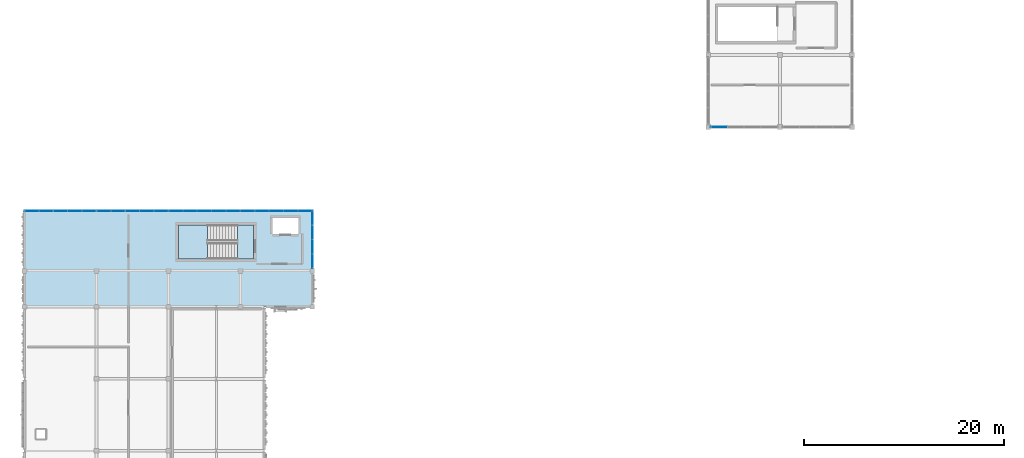
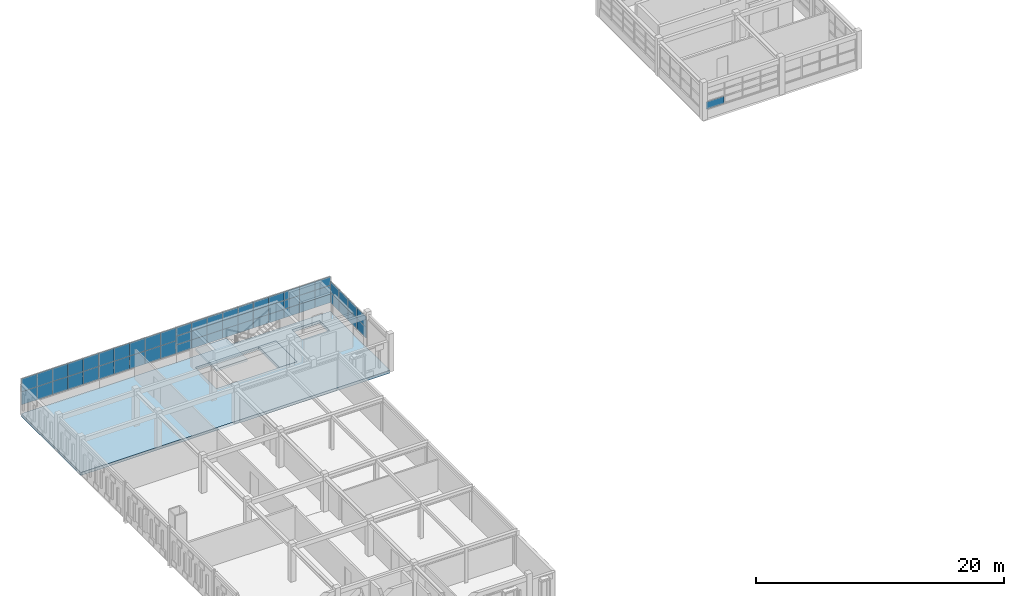
# One storey, part 20 of 53: 59 plates, 3 slabs, 7 elements without a shape of their own.
"""IFC4 building model written with IfcOpenShell, lengths in metres."""

from ifc_helpers import new_model, si_unit, direction, frame, origin, origin_2d, place, context, subcontext, project, spatial, polyline, rectangle, outline, extrude, material, layer, layer_set, type_object, element, aggregate, save


model = new_model("IFC4")

# Units and contexts
model_context = context("Model", 3, precision=1e-05, world=origin(), true_north=direction((0.0, 1.0)))
body_context = subcontext(model_context, "Body", "Model", "MODEL_VIEW")
ifc_project = project(units=[si_unit("LENGTHUNIT", "METRE"), si_unit("AREAUNIT", "SQUARE_METRE"), si_unit("VOLUMEUNIT", "CUBIC_METRE"), si_unit("PLANEANGLEUNIT", "RADIAN"), si_unit("MASSUNIT", "GRAM", prefix="KILO")], contexts=[model_context])

# Site, building, storey
site_placement = place(None, origin())
site = spatial("IfcSite", under=ifc_project, at=site_placement, CompositionType="ELEMENT")
building_placement = place(site_placement, origin())
building = spatial("IfcBuilding", under=site, at=building_placement, Name="Nzembalo Square Collegiate School", CompositionType="ELEMENT")
storey_placement = place(building_placement, frame((0.0, 0.0, 13.60009765625)))
storey = spatial("IfcBuildingStorey", under=building, at=storey_placement, Name="L03", CompositionType="ELEMENT", Elevation=13.60009765625)

# Curtain wall, plates
ifc_material_1 = material(Name="Aluminium 6060-T66", Category="aluminium")
curtain_wall_type_1 = type_object("IfcCurtainWallType", Name="CW-09", PredefinedType="USERDEFINED", material=ifc_material_1)
curtain_wall_1_placement = place(storey_placement, origin())
curtain_wall_1 = element("IfcCurtainWall", 1, at=curtain_wall_1_placement, inside=storey, type_object=curtain_wall_type_1, Name="Curtain wall CW-09 cw:L03:128", ObjectType="UNITISED", PredefinedType="USERDEFINED")
ifc_material_2 = material(Name="Laminated solar-control double glazing", Category="glass")
ifc_layer_1 = layer(ifc_material_2, 0.028076171875, Name="Laminated solar-control double glazing")
ifc_layer_set_1 = layer_set([ifc_layer_1], Name="Laminated solar-control double glazing")
plate_type_1 = type_object("IfcPlateType", Name="PN01", PredefinedType="CURTAIN_PANEL", material=ifc_layer_set_1)
plate_1_placement = place(storey_placement, frame((23.52001953125, 88.800048828125, 0.85400390625), z_axis=(0.0, 0.0, 1.0), x_axis=(1.0, 0.0, 0.0)))
plate_1 = element("IfcPlate", 2, at=plate_1_placement, type_object=plate_type_1, Name="PN01 glazed panel 1-1", PredefinedType="CURTAIN_PANEL", context=body_context, shape_type="SweptSolid", body=[
    extrude(rectangle(XDim=1.431884765625, YDim=0.028076171875, at=origin_2d()), origin(), (0.0, 0.0, 1.0), 0.853271484375),
])
plate_2_placement = place(storey_placement, frame((24.9599609375, 88.800048828125, 0.85400390625), z_axis=(0.0, 0.0, 1.0), x_axis=(1.0, 0.0, 0.0)))
plate_2 = element("IfcPlate", 3, at=plate_2_placement, type_object=plate_type_1, Name="PN01 glazed panel 1-2", PredefinedType="CURTAIN_PANEL", context=body_context, shape_type="SweptSolid", body=[
    extrude(rectangle(XDim=1.431884765625, YDim=0.028076171875, at=origin_2d()), origin(), (0.0, 0.0, 1.0), 0.853271484375),
])
plate_3_placement = place(storey_placement, frame((26.39990234375, 88.800048828125, 0.85400390625), z_axis=(0.0, 0.0, 1.0), x_axis=(1.0, 0.0, 0.0)))
plate_3 = element("IfcPlate", 4, at=plate_3_placement, type_object=plate_type_1, Name="PN01 glazed panel 1-3", PredefinedType="CURTAIN_PANEL", context=body_context, shape_type="SweptSolid", body=[
    extrude(rectangle(XDim=1.431884765625, YDim=0.028076171875, at=origin_2d()), origin(), (0.0, 0.0, 1.0), 0.853271484375),
])
plate_4_placement = place(storey_placement, frame((27.840087890625, 88.800048828125, 0.85400390625), z_axis=(0.0, 0.0, 1.0), x_axis=(1.0, 0.0, 0.0)))
plate_4 = element("IfcPlate", 5, at=plate_4_placement, type_object=plate_type_1, Name="PN01 glazed panel 1-4", PredefinedType="CURTAIN_PANEL", context=body_context, shape_type="SweptSolid", body=[
    extrude(rectangle(XDim=1.431884765625, YDim=0.028076171875, at=origin_2d()), origin(), (0.0, 0.0, 1.0), 0.853271484375),
])
plate_5_placement = place(storey_placement, frame((29.280029296875, 88.800048828125, 0.85400390625), z_axis=(0.0, 0.0, 1.0), x_axis=(1.0, 0.0, 0.0)))
plate_5 = element("IfcPlate", 6, at=plate_5_placement, type_object=plate_type_1, Name="PN01 glazed panel 1-5", PredefinedType="CURTAIN_PANEL", context=body_context, shape_type="SweptSolid", body=[
    extrude(rectangle(XDim=1.431884765625, YDim=0.028076171875, at=origin_2d()), origin(), (0.0, 0.0, 1.0), 0.853271484375),
])
plate_6_placement = place(storey_placement, frame((23.52001953125, 88.800048828125, 1.71533203125), z_axis=(0.0, 0.0, 1.0), x_axis=(1.0, 0.0, 0.0)))
plate_6 = element("IfcPlate", 7, at=plate_6_placement, type_object=plate_type_1, Name="PN01 glazed panel 2-1", PredefinedType="CURTAIN_PANEL", context=body_context, shape_type="SweptSolid", body=[
    extrude(rectangle(XDim=1.431884765625, YDim=0.028076171875, at=origin_2d()), origin(), (0.0, 0.0, 1.0), 0.853271484375),
])
plate_7_placement = place(storey_placement, frame((24.9599609375, 88.800048828125, 1.71533203125), z_axis=(0.0, 0.0, 1.0), x_axis=(1.0, 0.0, 0.0)))
plate_7 = element("IfcPlate", 8, at=plate_7_placement, type_object=plate_type_1, Name="PN01 glazed panel 2-2", PredefinedType="CURTAIN_PANEL", context=body_context, shape_type="SweptSolid", body=[
    extrude(rectangle(XDim=1.431884765625, YDim=0.028076171875, at=origin_2d()), origin(), (0.0, 0.0, 1.0), 0.853271484375),
])
plate_8_placement = place(storey_placement, frame((26.39990234375, 88.800048828125, 1.71533203125), z_axis=(0.0, 0.0, 1.0), x_axis=(1.0, 0.0, 0.0)))
plate_8 = element("IfcPlate", 9, at=plate_8_placement, type_object=plate_type_1, Name="PN01 glazed panel 2-3", PredefinedType="CURTAIN_PANEL", context=body_context, shape_type="SweptSolid", body=[
    extrude(rectangle(XDim=1.431884765625, YDim=0.028076171875, at=origin_2d()), origin(), (0.0, 0.0, 1.0), 0.853271484375),
])
plate_9_placement = place(storey_placement, frame((27.840087890625, 88.800048828125, 1.71533203125), z_axis=(0.0, 0.0, 1.0), x_axis=(1.0, 0.0, 0.0)))
plate_9 = element("IfcPlate", 10, at=plate_9_placement, type_object=plate_type_1, Name="PN01 glazed panel 2-4", PredefinedType="CURTAIN_PANEL", context=body_context, shape_type="SweptSolid", body=[
    extrude(rectangle(XDim=1.431884765625, YDim=0.028076171875, at=origin_2d()), origin(), (0.0, 0.0, 1.0), 0.853271484375),
])
plate_10_placement = place(storey_placement, frame((29.280029296875, 88.800048828125, 1.71533203125), z_axis=(0.0, 0.0, 1.0), x_axis=(1.0, 0.0, 0.0)))
plate_10 = element("IfcPlate", 11, at=plate_10_placement, type_object=plate_type_1, Name="PN01 glazed panel 2-5", PredefinedType="CURTAIN_PANEL", context=body_context, shape_type="SweptSolid", body=[
    extrude(rectangle(XDim=1.431884765625, YDim=0.028076171875, at=origin_2d()), origin(), (0.0, 0.0, 1.0), 0.853271484375),
])
plate_11_placement = place(storey_placement, frame((23.52001953125, 88.800048828125, 2.57666015625), z_axis=(0.0, 0.0, 1.0), x_axis=(1.0, 0.0, 0.0)))
plate_11 = element("IfcPlate", 12, at=plate_11_placement, type_object=plate_type_1, Name="PN01 glazed panel 3-1", PredefinedType="CURTAIN_PANEL", context=body_context, shape_type="SweptSolid", body=[
    extrude(rectangle(XDim=1.431884765625, YDim=0.028076171875, at=origin_2d()), origin(), (0.0, 0.0, 1.0), 0.853271484375),
])
plate_12_placement = place(storey_placement, frame((24.9599609375, 88.800048828125, 2.57666015625), z_axis=(0.0, 0.0, 1.0), x_axis=(1.0, 0.0, 0.0)))
plate_12 = element("IfcPlate", 13, at=plate_12_placement, type_object=plate_type_1, Name="PN01 glazed panel 3-2", PredefinedType="CURTAIN_PANEL", context=body_context, shape_type="SweptSolid", body=[
    extrude(rectangle(XDim=1.431884765625, YDim=0.028076171875, at=origin_2d()), origin(), (0.0, 0.0, 1.0), 0.853271484375),
])
plate_13_placement = place(storey_placement, frame((26.39990234375, 88.800048828125, 2.57666015625), z_axis=(0.0, 0.0, 1.0), x_axis=(1.0, 0.0, 0.0)))
plate_13 = element("IfcPlate", 14, at=plate_13_placement, type_object=plate_type_1, Name="PN01 glazed panel 3-3", PredefinedType="CURTAIN_PANEL", context=body_context, shape_type="SweptSolid", body=[
    extrude(rectangle(XDim=1.431884765625, YDim=0.028076171875, at=origin_2d()), origin(), (0.0, 0.0, 1.0), 0.853271484375),
])
plate_14_placement = place(storey_placement, frame((27.840087890625, 88.800048828125, 2.57666015625), z_axis=(0.0, 0.0, 1.0), x_axis=(1.0, 0.0, 0.0)))
plate_14 = element("IfcPlate", 15, at=plate_14_placement, type_object=plate_type_1, Name="PN01 glazed panel 3-4", PredefinedType="CURTAIN_PANEL", context=body_context, shape_type="SweptSolid", body=[
    extrude(rectangle(XDim=1.431884765625, YDim=0.028076171875, at=origin_2d()), origin(), (0.0, 0.0, 1.0), 0.853271484375),
])
plate_15_placement = place(storey_placement, frame((29.280029296875, 88.800048828125, 2.57666015625), z_axis=(0.0, 0.0, 1.0), x_axis=(1.0, 0.0, 0.0)))
plate_15 = element("IfcPlate", 16, at=plate_15_placement, type_object=plate_type_1, Name="PN01 glazed panel 3-5", PredefinedType="CURTAIN_PANEL", context=body_context, shape_type="SweptSolid", body=[
    extrude(rectangle(XDim=1.431884765625, YDim=0.028076171875, at=origin_2d()), origin(), (0.0, 0.0, 1.0), 0.853271484375),
])
aggregate(curtain_wall_1, [plate_1, plate_2, plate_3, plate_4, plate_5, plate_6, plate_7, plate_8, plate_9, plate_10, plate_11, plate_12, plate_13, plate_14, plate_15])

ifc_material_3 = material(Name="Aluminium 6060-T66", Category="aluminium")
curtain_wall_type_2 = type_object("IfcCurtainWallType", Name="CW-10", PredefinedType="USERDEFINED", material=ifc_material_3)
curtain_wall_2_placement = place(storey_placement, origin())
curtain_wall_2 = element("IfcCurtainWall", 17, at=curtain_wall_2_placement, inside=storey, type_object=curtain_wall_type_2, Name="Curtain wall CW-10 cw:L03:129", ObjectType="UNITISED", PredefinedType="USERDEFINED")
plate_16_placement = place(storey_placement, frame((30.719970703125, 88.800048828125, 0.85400390625), z_axis=(0.0, 0.0, 1.0), x_axis=(1.0, 0.0, 0.0)))
plate_16 = element("IfcPlate", 18, at=plate_16_placement, type_object=plate_type_1, Name="PN01 glazed panel 1-1", PredefinedType="CURTAIN_PANEL", context=body_context, shape_type="SweptSolid", body=[
    extrude(rectangle(XDim=1.431884765625, YDim=0.028076171875, at=origin_2d()), origin(), (0.0, 0.0, 1.0), 0.853271484375),
])
plate_17_placement = place(storey_placement, frame((32.159912109375, 88.800048828125, 0.85400390625), z_axis=(0.0, 0.0, 1.0), x_axis=(1.0, 0.0, 0.0)))
plate_17 = element("IfcPlate", 19, at=plate_17_placement, type_object=plate_type_1, Name="PN01 glazed panel 1-2", PredefinedType="CURTAIN_PANEL", context=body_context, shape_type="SweptSolid", body=[
    extrude(rectangle(XDim=1.431884765625, YDim=0.028076171875, at=origin_2d()), origin(), (0.0, 0.0, 1.0), 0.853271484375),
])
plate_18_placement = place(storey_placement, frame((33.60009765625, 88.800048828125, 0.85400390625), z_axis=(0.0, 0.0, 1.0), x_axis=(1.0, 0.0, 0.0)))
plate_18 = element("IfcPlate", 20, at=plate_18_placement, type_object=plate_type_1, Name="PN01 glazed panel 1-3", PredefinedType="CURTAIN_PANEL", context=body_context, shape_type="SweptSolid", body=[
    extrude(rectangle(XDim=1.431884765625, YDim=0.028076171875, at=origin_2d()), origin(), (0.0, 0.0, 1.0), 0.853271484375),
])
plate_19_placement = place(storey_placement, frame((35.0400390625, 88.800048828125, 0.85400390625), z_axis=(0.0, 0.0, 1.0), x_axis=(1.0, 0.0, 0.0)))
plate_19 = element("IfcPlate", 21, at=plate_19_placement, type_object=plate_type_1, Name="PN01 glazed panel 1-4", PredefinedType="CURTAIN_PANEL", context=body_context, shape_type="SweptSolid", body=[
    extrude(rectangle(XDim=1.431884765625, YDim=0.028076171875, at=origin_2d()), origin(), (0.0, 0.0, 1.0), 0.853271484375),
])
plate_20_placement = place(storey_placement, frame((36.47998046875, 88.800048828125, 0.85400390625), z_axis=(0.0, 0.0, 1.0), x_axis=(1.0, 0.0, 0.0)))
plate_20 = element("IfcPlate", 22, at=plate_20_placement, type_object=plate_type_1, Name="PN01 glazed panel 1-5", PredefinedType="CURTAIN_PANEL", context=body_context, shape_type="SweptSolid", body=[
    extrude(rectangle(XDim=1.431884765625, YDim=0.028076171875, at=origin_2d()), origin(), (0.0, 0.0, 1.0), 0.853271484375),
])
plate_21_placement = place(storey_placement, frame((30.719970703125, 88.800048828125, 1.71533203125), z_axis=(0.0, 0.0, 1.0), x_axis=(1.0, 0.0, 0.0)))
plate_21 = element("IfcPlate", 23, at=plate_21_placement, type_object=plate_type_1, Name="PN01 glazed panel 2-1", PredefinedType="CURTAIN_PANEL", context=body_context, shape_type="SweptSolid", body=[
    extrude(rectangle(XDim=1.431884765625, YDim=0.028076171875, at=origin_2d()), origin(), (0.0, 0.0, 1.0), 0.853271484375),
])
plate_22_placement = place(storey_placement, frame((32.159912109375, 88.800048828125, 1.71533203125), z_axis=(0.0, 0.0, 1.0), x_axis=(1.0, 0.0, 0.0)))
plate_22 = element("IfcPlate", 24, at=plate_22_placement, type_object=plate_type_1, Name="PN01 glazed panel 2-2", PredefinedType="CURTAIN_PANEL", context=body_context, shape_type="SweptSolid", body=[
    extrude(rectangle(XDim=1.431884765625, YDim=0.028076171875, at=origin_2d()), origin(), (0.0, 0.0, 1.0), 0.853271484375),
])
plate_23_placement = place(storey_placement, frame((33.60009765625, 88.800048828125, 1.71533203125), z_axis=(0.0, 0.0, 1.0), x_axis=(1.0, 0.0, 0.0)))
plate_23 = element("IfcPlate", 25, at=plate_23_placement, type_object=plate_type_1, Name="PN01 glazed panel 2-3", PredefinedType="CURTAIN_PANEL", context=body_context, shape_type="SweptSolid", body=[
    extrude(rectangle(XDim=1.431884765625, YDim=0.028076171875, at=origin_2d()), origin(), (0.0, 0.0, 1.0), 0.853271484375),
])
plate_24_placement = place(storey_placement, frame((35.0400390625, 88.800048828125, 1.71533203125), z_axis=(0.0, 0.0, 1.0), x_axis=(1.0, 0.0, 0.0)))
plate_24 = element("IfcPlate", 26, at=plate_24_placement, type_object=plate_type_1, Name="PN01 glazed panel 2-4", PredefinedType="CURTAIN_PANEL", context=body_context, shape_type="SweptSolid", body=[
    extrude(rectangle(XDim=1.431884765625, YDim=0.028076171875, at=origin_2d()), origin(), (0.0, 0.0, 1.0), 0.853271484375),
])
plate_25_placement = place(storey_placement, frame((36.47998046875, 88.800048828125, 1.71533203125), z_axis=(0.0, 0.0, 1.0), x_axis=(1.0, 0.0, 0.0)))
plate_25 = element("IfcPlate", 27, at=plate_25_placement, type_object=plate_type_1, Name="PN01 glazed panel 2-5", PredefinedType="CURTAIN_PANEL", context=body_context, shape_type="SweptSolid", body=[
    extrude(rectangle(XDim=1.431884765625, YDim=0.028076171875, at=origin_2d()), origin(), (0.0, 0.0, 1.0), 0.853271484375),
])
plate_26_placement = place(storey_placement, frame((30.719970703125, 88.800048828125, 2.57666015625), z_axis=(0.0, 0.0, 1.0), x_axis=(1.0, 0.0, 0.0)))
plate_26 = element("IfcPlate", 28, at=plate_26_placement, type_object=plate_type_1, Name="PN01 glazed panel 3-1", PredefinedType="CURTAIN_PANEL", context=body_context, shape_type="SweptSolid", body=[
    extrude(rectangle(XDim=1.431884765625, YDim=0.028076171875, at=origin_2d()), origin(), (0.0, 0.0, 1.0), 0.853271484375),
])
plate_27_placement = place(storey_placement, frame((32.159912109375, 88.800048828125, 2.57666015625), z_axis=(0.0, 0.0, 1.0), x_axis=(1.0, 0.0, 0.0)))
plate_27 = element("IfcPlate", 29, at=plate_27_placement, type_object=plate_type_1, Name="PN01 glazed panel 3-2", PredefinedType="CURTAIN_PANEL", context=body_context, shape_type="SweptSolid", body=[
    extrude(rectangle(XDim=1.431884765625, YDim=0.028076171875, at=origin_2d()), origin(), (0.0, 0.0, 1.0), 0.853271484375),
])
plate_28_placement = place(storey_placement, frame((33.60009765625, 88.800048828125, 2.57666015625), z_axis=(0.0, 0.0, 1.0), x_axis=(1.0, 0.0, 0.0)))
plate_28 = element("IfcPlate", 30, at=plate_28_placement, type_object=plate_type_1, Name="PN01 glazed panel 3-3", PredefinedType="CURTAIN_PANEL", context=body_context, shape_type="SweptSolid", body=[
    extrude(rectangle(XDim=1.431884765625, YDim=0.028076171875, at=origin_2d()), origin(), (0.0, 0.0, 1.0), 0.853271484375),
])
plate_29_placement = place(storey_placement, frame((35.0400390625, 88.800048828125, 2.57666015625), z_axis=(0.0, 0.0, 1.0), x_axis=(1.0, 0.0, 0.0)))
plate_29 = element("IfcPlate", 31, at=plate_29_placement, type_object=plate_type_1, Name="PN01 glazed panel 3-4", PredefinedType="CURTAIN_PANEL", context=body_context, shape_type="SweptSolid", body=[
    extrude(rectangle(XDim=1.431884765625, YDim=0.028076171875, at=origin_2d()), origin(), (0.0, 0.0, 1.0), 0.853271484375),
])
plate_30_placement = place(storey_placement, frame((36.47998046875, 88.800048828125, 2.57666015625), z_axis=(0.0, 0.0, 1.0), x_axis=(1.0, 0.0, 0.0)))
plate_30 = element("IfcPlate", 32, at=plate_30_placement, type_object=plate_type_1, Name="PN01 glazed panel 3-5", PredefinedType="CURTAIN_PANEL", context=body_context, shape_type="SweptSolid", body=[
    extrude(rectangle(XDim=1.431884765625, YDim=0.028076171875, at=origin_2d()), origin(), (0.0, 0.0, 1.0), 0.853271484375),
])
aggregate(curtain_wall_2, [plate_16, plate_17, plate_18, plate_19, plate_20, plate_21, plate_22, plate_23, plate_24, plate_25, plate_26, plate_27, plate_28, plate_29, plate_30])

ifc_material_4 = material(Name="Aluminium 6060-T66", Category="aluminium")
curtain_wall_type_3 = type_object("IfcCurtainWallType", Name="CW-11", PredefinedType="USERDEFINED", material=ifc_material_4)
curtain_wall_3_placement = place(storey_placement, origin())
curtain_wall_3 = element("IfcCurtainWall", 33, at=curtain_wall_3_placement, inside=storey, type_object=curtain_wall_type_3, Name="Curtain wall CW-11 cw:L03:126", ObjectType="LANCET", PredefinedType="USERDEFINED")
ifc_material_5 = material(Name="Acoustic laminated solar-control glazing", Category="glass")
ifc_layer_2 = layer(ifc_material_5, 0.031982421875, Name="Acoustic laminated solar-control glazing")
ifc_layer_set_2 = layer_set([ifc_layer_2], Name="Acoustic laminated solar-control glazing")
plate_type_2 = type_object("IfcPlateType", Name="PN02", PredefinedType="CURTAIN_PANEL", material=ifc_layer_set_2)
plate_31_placement = place(storey_placement, frame((9.1201171875, 88.800048828125, 0.85400390625), z_axis=(0.0, 0.0, 1.0), x_axis=(1.0, 0.0, 0.0)))
plate_31 = element("IfcPlate", 34, at=plate_31_placement, type_object=plate_type_2, Name="PN02 glazed panel 1-1", PredefinedType="CURTAIN_PANEL", context=body_context, shape_type="SweptSolid", body=[
    extrude(rectangle(XDim=1.431884765625, YDim=0.031982421875, at=origin_2d()), origin(), (0.0, 0.0, 1.0), 1.283935546875),
])
plate_32_placement = place(storey_placement, frame((10.56005859375, 88.800048828125, 0.85400390625), z_axis=(0.0, 0.0, 1.0), x_axis=(1.0, 0.0, 0.0)))
plate_32 = element("IfcPlate", 35, at=plate_32_placement, type_object=plate_type_2, Name="PN02 glazed panel 1-2", PredefinedType="CURTAIN_PANEL", context=body_context, shape_type="SweptSolid", body=[
    extrude(rectangle(XDim=1.431884765625, YDim=0.031982421875, at=origin_2d()), origin(), (0.0, 0.0, 1.0), 1.283935546875),
])
plate_33_placement = place(storey_placement, frame((12.0, 88.800048828125, 0.85400390625), z_axis=(0.0, 0.0, 1.0), x_axis=(1.0, 0.0, 0.0)))
plate_33 = element("IfcPlate", 36, at=plate_33_placement, type_object=plate_type_2, Name="PN02 glazed panel 1-3", PredefinedType="CURTAIN_PANEL", context=body_context, shape_type="SweptSolid", body=[
    extrude(rectangle(XDim=1.431884765625, YDim=0.031982421875, at=origin_2d()), origin(), (0.0, 0.0, 1.0), 1.283935546875),
])
plate_34_placement = place(storey_placement, frame((13.43994140625, 88.800048828125, 0.85400390625), z_axis=(0.0, 0.0, 1.0), x_axis=(1.0, 0.0, 0.0)))
plate_34 = element("IfcPlate", 37, at=plate_34_placement, type_object=plate_type_2, Name="PN02 glazed panel 1-4", PredefinedType="CURTAIN_PANEL", context=body_context, shape_type="SweptSolid", body=[
    extrude(rectangle(XDim=1.431884765625, YDim=0.031982421875, at=origin_2d()), origin(), (0.0, 0.0, 1.0), 1.283935546875),
])
plate_35_placement = place(storey_placement, frame((14.8798828125, 88.800048828125, 0.85400390625), z_axis=(0.0, 0.0, 1.0), x_axis=(1.0, 0.0, 0.0)))
plate_35 = element("IfcPlate", 38, at=plate_35_placement, type_object=plate_type_2, Name="PN02 glazed panel 1-5", PredefinedType="CURTAIN_PANEL", context=body_context, shape_type="SweptSolid", body=[
    extrude(rectangle(XDim=1.431884765625, YDim=0.031982421875, at=origin_2d()), origin(), (0.0, 0.0, 1.0), 1.283935546875),
])
plate_36_placement = place(storey_placement, frame((9.1201171875, 88.800048828125, 2.14599609375), z_axis=(0.0, 0.0, 1.0), x_axis=(1.0, 0.0, 0.0)))
plate_36 = element("IfcPlate", 39, at=plate_36_placement, type_object=plate_type_2, Name="PN02 glazed panel 2-1", PredefinedType="CURTAIN_PANEL", context=body_context, shape_type="SweptSolid", body=[
    extrude(rectangle(XDim=1.431884765625, YDim=0.031982421875, at=origin_2d()), origin(), (0.0, 0.0, 1.0), 1.283935546875),
])
plate_37_placement = place(storey_placement, frame((10.56005859375, 88.800048828125, 2.14599609375), z_axis=(0.0, 0.0, 1.0), x_axis=(1.0, 0.0, 0.0)))
plate_37 = element("IfcPlate", 40, at=plate_37_placement, type_object=plate_type_2, Name="PN02 glazed panel 2-2", PredefinedType="CURTAIN_PANEL", context=body_context, shape_type="SweptSolid", body=[
    extrude(rectangle(XDim=1.431884765625, YDim=0.031982421875, at=origin_2d()), origin(), (0.0, 0.0, 1.0), 1.283935546875),
])
plate_38_placement = place(storey_placement, frame((12.0, 88.800048828125, 2.14599609375), z_axis=(0.0, 0.0, 1.0), x_axis=(1.0, 0.0, 0.0)))
plate_38 = element("IfcPlate", 41, at=plate_38_placement, type_object=plate_type_2, Name="PN02 glazed panel 2-3", PredefinedType="CURTAIN_PANEL", context=body_context, shape_type="SweptSolid", body=[
    extrude(rectangle(XDim=1.431884765625, YDim=0.031982421875, at=origin_2d()), origin(), (0.0, 0.0, 1.0), 1.283935546875),
])
plate_39_placement = place(storey_placement, frame((13.43994140625, 88.800048828125, 2.14599609375), z_axis=(0.0, 0.0, 1.0), x_axis=(1.0, 0.0, 0.0)))
plate_39 = element("IfcPlate", 42, at=plate_39_placement, type_object=plate_type_2, Name="PN02 glazed panel 2-4", PredefinedType="CURTAIN_PANEL", context=body_context, shape_type="SweptSolid", body=[
    extrude(rectangle(XDim=1.431884765625, YDim=0.031982421875, at=origin_2d()), origin(), (0.0, 0.0, 1.0), 1.283935546875),
])
plate_40_placement = place(storey_placement, frame((14.8798828125, 88.800048828125, 2.14599609375), z_axis=(0.0, 0.0, 1.0), x_axis=(1.0, 0.0, 0.0)))
plate_40 = element("IfcPlate", 43, at=plate_40_placement, type_object=plate_type_2, Name="PN02 glazed panel 2-5", PredefinedType="CURTAIN_PANEL", context=body_context, shape_type="SweptSolid", body=[
    extrude(rectangle(XDim=1.431884765625, YDim=0.031982421875, at=origin_2d()), origin(), (0.0, 0.0, 1.0), 1.283935546875),
])
aggregate(curtain_wall_3, [plate_31, plate_32, plate_33, plate_34, plate_35, plate_36, plate_37, plate_38, plate_39, plate_40])

ifc_material_6 = material(Name="Aluminium 6060-T66", Category="aluminium")
curtain_wall_type_4 = type_object("IfcCurtainWallType", Name="CW-12", PredefinedType="USERDEFINED", material=ifc_material_6)
curtain_wall_4_placement = place(storey_placement, origin())
curtain_wall_4 = element("IfcCurtainWall", 44, at=curtain_wall_4_placement, inside=storey, type_object=curtain_wall_type_4, Name="Curtain wall CW-12 cw:L03:127", ObjectType="LANCET", PredefinedType="USERDEFINED")
plate_41_placement = place(storey_placement, frame((16.320068359375, 88.800048828125, 0.85400390625), z_axis=(0.0, 0.0, 1.0), x_axis=(1.0, 0.0, 0.0)))
plate_41 = element("IfcPlate", 45, at=plate_41_placement, type_object=plate_type_2, Name="PN02 glazed panel 1-1", PredefinedType="CURTAIN_PANEL", context=body_context, shape_type="SweptSolid", body=[
    extrude(rectangle(XDim=1.431884765625, YDim=0.031982421875, at=origin_2d()), origin(), (0.0, 0.0, 1.0), 1.283935546875),
])
plate_42_placement = place(storey_placement, frame((17.760009765625, 88.800048828125, 0.85400390625), z_axis=(0.0, 0.0, 1.0), x_axis=(1.0, 0.0, 0.0)))
plate_42 = element("IfcPlate", 46, at=plate_42_placement, type_object=plate_type_2, Name="PN02 glazed panel 1-2", PredefinedType="CURTAIN_PANEL", context=body_context, shape_type="SweptSolid", body=[
    extrude(rectangle(XDim=1.431884765625, YDim=0.031982421875, at=origin_2d()), origin(), (0.0, 0.0, 1.0), 1.283935546875),
])
plate_43_placement = place(storey_placement, frame((19.199951171875, 88.800048828125, 0.85400390625), z_axis=(0.0, 0.0, 1.0), x_axis=(1.0, 0.0, 0.0)))
plate_43 = element("IfcPlate", 47, at=plate_43_placement, type_object=plate_type_2, Name="PN02 glazed panel 1-3", PredefinedType="CURTAIN_PANEL", context=body_context, shape_type="SweptSolid", body=[
    extrude(rectangle(XDim=1.431884765625, YDim=0.031982421875, at=origin_2d()), origin(), (0.0, 0.0, 1.0), 1.283935546875),
])
plate_44_placement = place(storey_placement, frame((20.639892578125, 88.800048828125, 0.85400390625), z_axis=(0.0, 0.0, 1.0), x_axis=(1.0, 0.0, 0.0)))
plate_44 = element("IfcPlate", 48, at=plate_44_placement, type_object=plate_type_2, Name="PN02 glazed panel 1-4", PredefinedType="CURTAIN_PANEL", context=body_context, shape_type="SweptSolid", body=[
    extrude(rectangle(XDim=1.431884765625, YDim=0.031982421875, at=origin_2d()), origin(), (0.0, 0.0, 1.0), 1.283935546875),
])
plate_45_placement = place(storey_placement, frame((22.080078125, 88.800048828125, 0.85400390625), z_axis=(0.0, 0.0, 1.0), x_axis=(1.0, 0.0, 0.0)))
plate_45 = element("IfcPlate", 49, at=plate_45_placement, type_object=plate_type_2, Name="PN02 glazed panel 1-5", PredefinedType="CURTAIN_PANEL", context=body_context, shape_type="SweptSolid", body=[
    extrude(rectangle(XDim=1.431884765625, YDim=0.031982421875, at=origin_2d()), origin(), (0.0, 0.0, 1.0), 1.283935546875),
])
plate_46_placement = place(storey_placement, frame((16.320068359375, 88.800048828125, 2.14599609375), z_axis=(0.0, 0.0, 1.0), x_axis=(1.0, 0.0, 0.0)))
plate_46 = element("IfcPlate", 50, at=plate_46_placement, type_object=plate_type_2, Name="PN02 glazed panel 2-1", PredefinedType="CURTAIN_PANEL", context=body_context, shape_type="SweptSolid", body=[
    extrude(rectangle(XDim=1.431884765625, YDim=0.031982421875, at=origin_2d()), origin(), (0.0, 0.0, 1.0), 1.283935546875),
])
plate_47_placement = place(storey_placement, frame((17.760009765625, 88.800048828125, 2.14599609375), z_axis=(0.0, 0.0, 1.0), x_axis=(1.0, 0.0, 0.0)))
plate_47 = element("IfcPlate", 51, at=plate_47_placement, type_object=plate_type_2, Name="PN02 glazed panel 2-2", PredefinedType="CURTAIN_PANEL", context=body_context, shape_type="SweptSolid", body=[
    extrude(rectangle(XDim=1.431884765625, YDim=0.031982421875, at=origin_2d()), origin(), (0.0, 0.0, 1.0), 1.283935546875),
])
plate_48_placement = place(storey_placement, frame((19.199951171875, 88.800048828125, 2.14599609375), z_axis=(0.0, 0.0, 1.0), x_axis=(1.0, 0.0, 0.0)))
plate_48 = element("IfcPlate", 52, at=plate_48_placement, type_object=plate_type_2, Name="PN02 glazed panel 2-3", PredefinedType="CURTAIN_PANEL", context=body_context, shape_type="SweptSolid", body=[
    extrude(rectangle(XDim=1.431884765625, YDim=0.031982421875, at=origin_2d()), origin(), (0.0, 0.0, 1.0), 1.283935546875),
])
plate_49_placement = place(storey_placement, frame((20.639892578125, 88.800048828125, 2.14599609375), z_axis=(0.0, 0.0, 1.0), x_axis=(1.0, 0.0, 0.0)))
plate_49 = element("IfcPlate", 53, at=plate_49_placement, type_object=plate_type_2, Name="PN02 glazed panel 2-4", PredefinedType="CURTAIN_PANEL", context=body_context, shape_type="SweptSolid", body=[
    extrude(rectangle(XDim=1.431884765625, YDim=0.031982421875, at=origin_2d()), origin(), (0.0, 0.0, 1.0), 1.283935546875),
])
plate_50_placement = place(storey_placement, frame((22.080078125, 88.800048828125, 2.14599609375), z_axis=(0.0, 0.0, 1.0), x_axis=(1.0, 0.0, 0.0)))
plate_50 = element("IfcPlate", 54, at=plate_50_placement, type_object=plate_type_2, Name="PN02 glazed panel 2-5", PredefinedType="CURTAIN_PANEL", context=body_context, shape_type="SweptSolid", body=[
    extrude(rectangle(XDim=1.431884765625, YDim=0.031982421875, at=origin_2d()), origin(), (0.0, 0.0, 1.0), 1.283935546875),
])
aggregate(curtain_wall_4, [plate_41, plate_42, plate_43, plate_44, plate_45, plate_46, plate_47, plate_48, plate_49, plate_50])

ifc_material_7 = material(Name="Aluminium 6060-T66", Category="aluminium")
curtain_wall_type_5 = type_object("IfcCurtainWallType", Name="CW-03", PredefinedType="USERDEFINED", material=ifc_material_7)
curtain_wall_5_placement = place(storey_placement, origin())
curtain_wall_5 = element("IfcCurtainWall", 55, at=curtain_wall_5_placement, inside=storey, type_object=curtain_wall_type_5, Name="Curtain wall CW-03 cw:L03:130", ObjectType="UNITISED", PredefinedType="USERDEFINED")
plate_51_placement = place(storey_placement, frame((37.199951171875, 83.76171875, 0.85400390625), z_axis=(0.0, 0.0, 1.0), x_axis=(0.0, 1.0, 0.0)))
plate_51 = element("IfcPlate", 56, at=plate_51_placement, type_object=plate_type_2, Name="PN02 glazed panel 1-1", PredefinedType="CURTAIN_PANEL", context=body_context, shape_type="SweptSolid", body=[
    extrude(rectangle(XDim=1.431396484375, YDim=0.031982421875, at=origin_2d()), origin(), (0.0, 0.0, 1.0), 1.051513671875),
])
plate_52_placement = place(storey_placement, frame((37.199951171875, 85.201171875, 0.85400390625), z_axis=(0.0, 0.0, 1.0), x_axis=(0.0, 1.0, 0.0)))
plate_52 = element("IfcPlate", 57, at=plate_52_placement, type_object=plate_type_2, Name="PN02 glazed panel 1-2", PredefinedType="CURTAIN_PANEL", context=body_context, shape_type="SweptSolid", body=[
    extrude(rectangle(XDim=1.431396484375, YDim=0.031982421875, at=origin_2d()), origin(), (0.0, 0.0, 1.0), 1.051513671875),
])
plate_53_placement = place(storey_placement, frame((37.199951171875, 86.640869140625, 0.85400390625), z_axis=(0.0, 0.0, 1.0), x_axis=(0.0, 1.0, 0.0)))
plate_53 = element("IfcPlate", 58, at=plate_53_placement, type_object=plate_type_2, Name="PN02 glazed panel 1-3", PredefinedType="CURTAIN_PANEL", context=body_context, shape_type="SweptSolid", body=[
    extrude(rectangle(XDim=1.431396484375, YDim=0.031982421875, at=origin_2d()), origin(), (0.0, 0.0, 1.0), 1.051513671875),
])
plate_54_placement = place(storey_placement, frame((37.199951171875, 88.080322265625, 0.85400390625), z_axis=(0.0, 0.0, 1.0), x_axis=(0.0, 1.0, 0.0)))
plate_54 = element("IfcPlate", 59, at=plate_54_placement, type_object=plate_type_2, Name="PN02 glazed panel 1-4", PredefinedType="CURTAIN_PANEL", context=body_context, shape_type="SweptSolid", body=[
    extrude(rectangle(XDim=1.431396484375, YDim=0.031982421875, at=origin_2d()), origin(), (0.0, 0.0, 1.0), 1.051513671875),
])
plate_55_placement = place(storey_placement, frame((37.199951171875, 83.76171875, 1.91357421875), z_axis=(0.0, 0.0, 1.0), x_axis=(0.0, 1.0, 0.0)))
plate_55 = element("IfcPlate", 60, at=plate_55_placement, type_object=plate_type_2, Name="PN02 glazed panel 2-1", PredefinedType="CURTAIN_PANEL", context=body_context, shape_type="SweptSolid", body=[
    extrude(rectangle(XDim=1.431396484375, YDim=0.031982421875, at=origin_2d()), origin(), (0.0, 0.0, 1.0), 1.051513671875),
])
plate_56_placement = place(storey_placement, frame((37.199951171875, 85.201171875, 1.91357421875), z_axis=(0.0, 0.0, 1.0), x_axis=(0.0, 1.0, 0.0)))
plate_56 = element("IfcPlate", 61, at=plate_56_placement, type_object=plate_type_2, Name="PN02 glazed panel 2-2", PredefinedType="CURTAIN_PANEL", context=body_context, shape_type="SweptSolid", body=[
    extrude(rectangle(XDim=1.431396484375, YDim=0.031982421875, at=origin_2d()), origin(), (0.0, 0.0, 1.0), 1.051513671875),
])
plate_57_placement = place(storey_placement, frame((37.199951171875, 86.640869140625, 1.91357421875), z_axis=(0.0, 0.0, 1.0), x_axis=(0.0, 1.0, 0.0)))
plate_57 = element("IfcPlate", 62, at=plate_57_placement, type_object=plate_type_2, Name="PN02 glazed panel 2-3", PredefinedType="CURTAIN_PANEL", context=body_context, shape_type="SweptSolid", body=[
    extrude(rectangle(XDim=1.431396484375, YDim=0.031982421875, at=origin_2d()), origin(), (0.0, 0.0, 1.0), 1.051513671875),
])
plate_58_placement = place(storey_placement, frame((37.199951171875, 88.080322265625, 1.91357421875), z_axis=(0.0, 0.0, 1.0), x_axis=(0.0, 1.0, 0.0)))
plate_58 = element("IfcPlate", 63, at=plate_58_placement, type_object=plate_type_2, Name="PN02 glazed panel 2-4", PredefinedType="CURTAIN_PANEL", context=body_context, shape_type="SweptSolid", body=[
    extrude(rectangle(XDim=1.431396484375, YDim=0.031982421875, at=origin_2d()), origin(), (0.0, 0.0, 1.0), 1.051513671875),
])
aggregate(curtain_wall_5, [plate_51, plate_52, plate_53, plate_54, plate_55, plate_56, plate_57, plate_58])

# Curtain wall, plate
ifc_material_8 = material(Name="Aluminium 6060-T66", Category="aluminium")
curtain_wall_type_6 = type_object("IfcCurtainWallType", Name="CW-06", PredefinedType="USERDEFINED", material=ifc_material_8)
curtain_wall_6_placement = place(storey_placement, origin())
curtain_wall_6 = element("IfcCurtainWall", 64, at=curtain_wall_6_placement, inside=storey, type_object=curtain_wall_type_6, Name="Curtain wall CW-06 cw:L03:133", ObjectType="LANCET", PredefinedType="USERDEFINED")
plate_59_placement = place(storey_placement, frame((77.881591796875, 97.199951171875, 0.85400390625), z_axis=(0.0, 0.0, 1.0), x_axis=(1.0, 0.0, 0.0)))
plate_59 = element("IfcPlate", 65, at=plate_59_placement, type_object=plate_type_2, Name="PN02 glazed panel 1-1", PredefinedType="CURTAIN_PANEL", context=body_context, shape_type="SweptSolid", body=[
    extrude(rectangle(XDim=1.6708984375, YDim=0.031982421875, at=origin_2d()), origin(), (0.0, 0.0, 1.0), 0.711669921875),
])
aggregate(curtain_wall_6, [plate_59])

# Stair, slab
ifc_material_9 = material(Name="Precast concrete C40/50", Category="concrete")
stair_type = type_object("IfcStairType", Name="ST-22R", PredefinedType="HALF_TURN_STAIR", material=ifc_material_9)
stair_placement = place(storey_placement, origin())
stair = element("IfcStair", 66, at=stair_placement, inside=storey, type_object=stair_type, Name="Escape stair ST-09 (C2 L03)", PredefinedType="HALF_TURN_STAIR")
ifc_material_10 = material(Name="Precast concrete C40/50", Category="concrete")
ifc_layer_3 = layer(ifc_material_10, 0.199951171875, Name="Precast concrete C40/50")
ifc_layer_set_3 = layer_set([ifc_layer_3], Name="Precast concrete C40/50")
slab_type_1 = type_object("IfcSlabType", Name="SL-LDG", PredefinedType="LANDING", material=ifc_layer_set_3)
slab_1_placement = place(storey_placement, frame((0.0, 0.0, 1.669921875)))
slab_1 = element("IfcSlab", 67, at=slab_1_placement, type_object=slab_type_1, Name="ST-09 landing 1", PredefinedType="LANDING", context=body_context, shape_type="SweptSolid", body=[
    extrude(outline(polyline([(26.699951171875, 87.39990234375), (23.800048828125, 87.39990234375), (23.800048828125, 84.0), (26.699951171875, 84.0), (26.699951171875, 87.39990234375)])), origin(), (0.0, 0.0, 1.0), 0.199951171875),
])
aggregate(stair, [slab_1])

# Slabs
ifc_material_11 = material(Name="CLT CL24", Category="wood")
ifc_layer_4 = layer(ifc_material_11, 0.281982421875, Name="CLT CL24")
ifc_layer_set_4 = layer_set([ifc_layer_4], Name="CLT CL24")
slab_type_2 = type_object("IfcSlabType", Name="SL-03", PredefinedType="FLOOR", material=ifc_layer_set_4)
slab_2_placement = place(storey_placement, frame((0.0, 0.0, -0.281982421875)))
element("IfcSlab", 68, at=slab_2_placement, inside=storey, type_object=slab_type_2, Name="Slab SL-L03-67", PredefinedType="FLOOR", context=body_context, shape_type="SweptSolid", body=[
    extrude(outline(polyline([(8.39990234375, 79.199951171875), (37.199951171875, 79.199951171875), (37.199951171875, 88.800048828125), (8.39990234375, 88.800048828125), (8.39990234375, 79.199951171875)]), holes=[polyline([(33.199951171875, 86.5), (35.800048828125, 86.5), (35.800048828125, 88.10009765625), (33.199951171875, 88.10009765625), (33.199951171875, 86.5)]), polyline([(31.300048828125, 87.39990234375), (23.800048828125, 87.39990234375), (23.800048828125, 84.0), (31.300048828125, 84.0), (31.300048828125, 87.39990234375)])]), origin(), (0.0, 0.0, 1.0), 0.281982421875),
])
slab_3_placement = place(storey_placement, frame((0.0, 0.0, -0.281982421875)))
element("IfcSlab", 69, at=slab_3_placement, inside=storey, type_object=slab_type_2, Name="Core C2 floor landing slab SL-L03-C2", PredefinedType="FLOOR", context=body_context, shape_type="SweptSolid", body=[
    extrude(outline(polyline([(29.699951171875, 84.0), (31.300048828125, 84.0), (31.300048828125, 87.39990234375), (29.699951171875, 87.39990234375), (29.699951171875, 84.0)])), origin(), (0.0, 0.0, 1.0), 0.281982421875),
])

save(model, "model.ifc")
